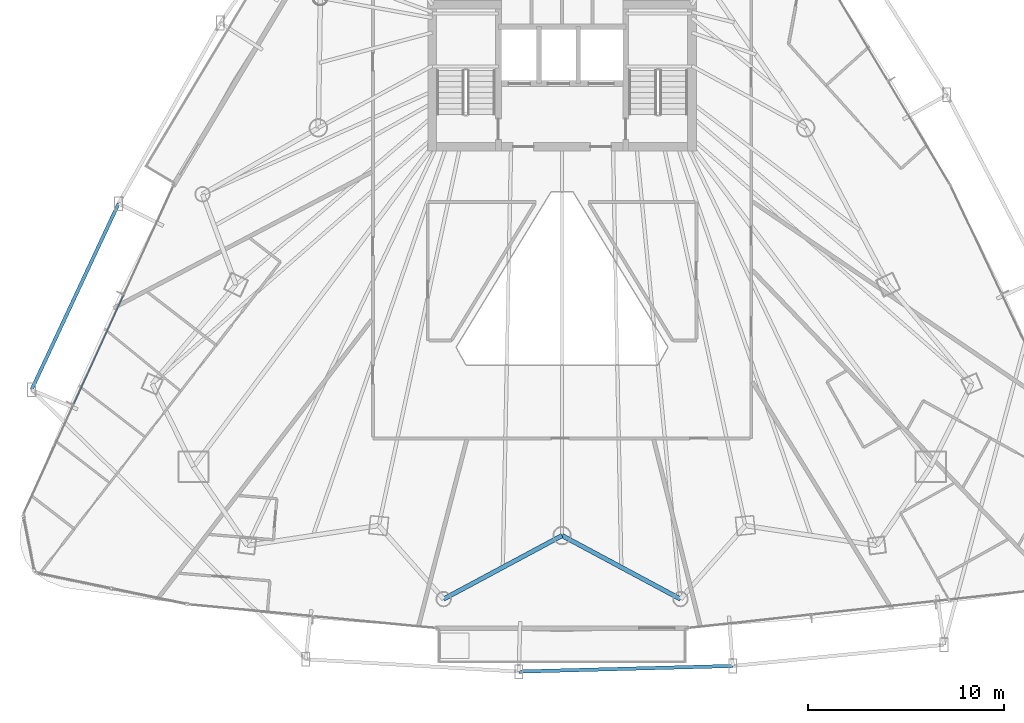
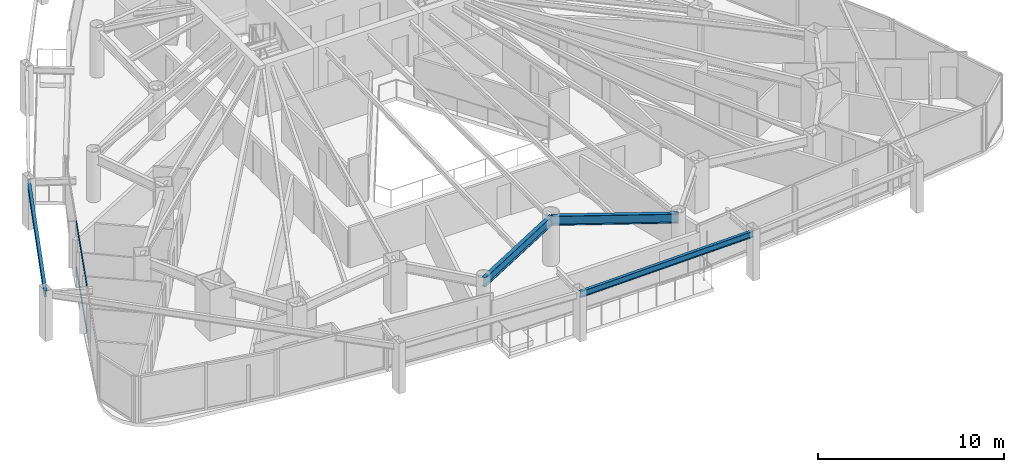
# One storey, part 7 of 34: 4 beams, 2 members, 1 element without a shape of its own.
"""IFC4 building model written with IfcOpenShell, lengths in metres."""

from ifc_helpers import new_model, si_unit, direction, frame, origin, origin_2d, place, context, subcontext, project, spatial, hollow_rectangle, i_section, extrude, material, layer, layer_set, material_profile, profile_set, type_object, element, aggregate, save


model = new_model("IFC4")

# Units and contexts
model_context = context("Model", 3, precision=1e-05, world=origin(), true_north=direction((0.0, 1.0)))
body_context = subcontext(model_context, "Body", "Model", "MODEL_VIEW")
ifc_project = project(units=[si_unit("LENGTHUNIT", "METRE"), si_unit("AREAUNIT", "SQUARE_METRE"), si_unit("VOLUMEUNIT", "CUBIC_METRE"), si_unit("PLANEANGLEUNIT", "RADIAN"), si_unit("MASSUNIT", "GRAM", prefix="KILO")], contexts=[model_context])

# Site, building, storey
site_placement = place(None, origin())
site = spatial("IfcSite", under=ifc_project, at=site_placement, CompositionType="ELEMENT")
building_placement = place(site_placement, origin())
building = spatial("IfcBuilding", under=site, at=building_placement, Name="Orvanel Arch Residences", CompositionType="ELEMENT")
storey_placement = place(building_placement, frame((0.0, 0.0, 74.14990234375)))
storey = spatial("IfcBuildingStorey", under=building, at=storey_placement, Name="L20", CompositionType="ELEMENT", Elevation=74.14990234375)

# Beams
ifc_material_1 = material(Name="Structural steel AS/NZS 3679.1 Grade 300 (300 MPa)", Category="steel")
ifc_material_profile_1 = material_profile(ifc_material_1, i_section(OverallWidth=0.177978515625, OverallDepth=0.406005859375, WebThickness=0.0078125, FlangeThickness=0.0126953125, at=origin_2d()), Name="410UB59.7")
ifc_profile_set_1 = profile_set([ifc_material_profile_1], Name="Structural steel AS/NZS 3679.1 Grade 300 (300 MPa)")
beam_type_1 = type_object("IfcBeamType", Name="OB-410UB-EXT", PredefinedType="SPANDREL", material=ifc_profile_set_1)
beam_1_placement = place(storey_placement, frame((10.3779296875, 23.777099609375, 2.857177734375), z_axis=(-0.423397873986, -0.905943839487, 0.0), x_axis=(0.905943839487, -0.423397873986, 0.0)))
element("IfcBeam", 1, at=beam_1_placement, inside=storey, type_object=beam_type_1, Name="L20 Outer Perimeter Floor Ring Beam 03", PredefinedType="SPANDREL", context=body_context, shape_type="SweptSolid", body=[
    extrude(i_section(OverallWidth=0.177978515625, OverallDepth=0.406005859375, WebThickness=0.0078125, FlangeThickness=0.0126953125, at=origin_2d()), origin(), (0.0, 0.0, 1.0), 10.484130859375),
])
beam_2_placement = place(storey_placement, frame((30.79296875, -0.093994140625, 2.857177734375), z_axis=(0.999654228759, 0.026294922005, 0.0), x_axis=(-0.026294922005, 0.999654228759, 0.0)))
element("IfcBeam", 2, at=beam_2_placement, inside=storey, type_object=beam_type_1, Name="L20 Outer Perimeter Floor Ring Beam 06", PredefinedType="SPANDREL", context=body_context, shape_type="SweptSolid", body=[
    extrude(i_section(OverallWidth=0.177978515625, OverallDepth=0.406005859375, WebThickness=0.0078125, FlangeThickness=0.0126953125, at=origin_2d()), origin(), (0.0, 0.0, 1.0), 10.918701171875),
])
ifc_material_profile_2 = material_profile(ifc_material_1, i_section(OverallWidth=0.22900390625, OverallDepth=0.612060546875, WebThickness=0.011962890625, FlangeThickness=0.01953125, at=origin_2d()), Name="610UB125")
ifc_profile_set_2 = profile_set([ifc_material_profile_2], Name="Structural steel AS/NZS 3679.1 Grade 300 (300 MPa)")
beam_type_2 = type_object("IfcBeamType", Name="SP-610UB", PredefinedType="SPANDREL", material=ifc_profile_set_2)
for number, where, z_axis, x_axis, name in (
    (3, (26.9580078125, 3.60498046875, 2.754150390625), (0.881344400551, 0.472474388319, 0.0), (-0.472474388319, 0.881344400551, 0.0), "L20 Perimeter Spandrel Beam 06"),
    (4, (33.0, 6.843994140625, 2.754150390625), (0.881344400551, -0.472474388319, 0.0), (0.472474388319, 0.881344400551, 0.0), "L20 Perimeter Spandrel Beam 07"),
):
    element("IfcBeam", number, at=place(storey_placement, frame(where, z_axis=z_axis, x_axis=x_axis)), inside=storey, type_object=beam_type_2, Name=name, PredefinedType="SPANDREL", context=body_context, shape_type="SweptSolid", body=[
        extrude(i_section(OverallWidth=0.22900390625, OverallDepth=0.612060546875, WebThickness=0.011962890625, FlangeThickness=0.01953125, at=origin_2d()), origin(), (0.0, 0.0, 1.0), 6.85546875),
    ])

# Curtain wall, members
ifc_material_2 = material(Name="Bronze-anodised aluminium AA6063-T6", Category="aluminium")
ifc_layer = layer(ifc_material_2, 0.179931640625)
ifc_layer_set = layer_set([ifc_layer], Name="Bronze-anodised aluminium AA6063-T6")
curtain_wall_type = type_object("IfcCurtainWallType", Name="CW2-LOW-SYS", PredefinedType="NOTDEFINED", material=ifc_layer_set)
curtain_wall_placement = place(storey_placement, origin())
curtain_wall = element("IfcCurtainWall", 5, at=curtain_wall_placement, inside=storey, type_object=curtain_wall_type, Name="L20 CW2-LOW-SYS Unitised Curtain Wall", PredefinedType="NOTDEFINED")
ifc_material_profile_3 = material_profile(ifc_material_2, hollow_rectangle(XDim=0.06005859375, YDim=0.135009765625, WallThickness=0.00390625, at=origin_2d()), Name="ALU135x60x4")
ifc_profile_set_3 = profile_set([ifc_material_profile_3], Name="Bronze-anodised aluminium AA6063-T6")
member_type = type_object("IfcMemberType", Name="TRN-135x60", PredefinedType="USERDEFINED", material=ifc_profile_set_3)
member_1_placement = place(storey_placement, frame((10.626220703125, 19.09814453125, 0.030029296875), z_axis=(-0.415453034051, -0.909614630763, 0.0), x_axis=(0.909614630763, -0.415453034051, 0.0)))
member_1 = element("IfcMember", 6, at=member_1_placement, type_object=member_type, Name="CW-S2 transom 2.1", ObjectType="TRANSOM", PredefinedType="USERDEFINED", context=body_context, shape_type="SweptSolid", body=[
    extrude(hollow_rectangle(XDim=0.06005859375, YDim=0.135009765625, WallThickness=0.00390625, at=origin_2d()), origin(), (0.0, 0.0, 1.0), 6.09521484375),
])
member_2_placement = place(storey_placement, frame((10.626220703125, 19.09814453125, 3.030029296875), z_axis=(-0.415453034051, -0.909614630763, 0.0), x_axis=(0.909614630763, -0.415453034051, 0.0)))
member_2 = element("IfcMember", 7, at=member_2_placement, type_object=member_type, Name="CW-S2 transom 2.2", ObjectType="TRANSOM", PredefinedType="USERDEFINED", context=body_context, shape_type="SweptSolid", body=[
    extrude(hollow_rectangle(XDim=0.06005859375, YDim=0.135009765625, WallThickness=0.00390625, at=origin_2d()), origin(), (0.0, 0.0, 1.0), 6.09521484375),
])
aggregate(curtain_wall, [member_1, member_2])

save(model, "model.ifc")
